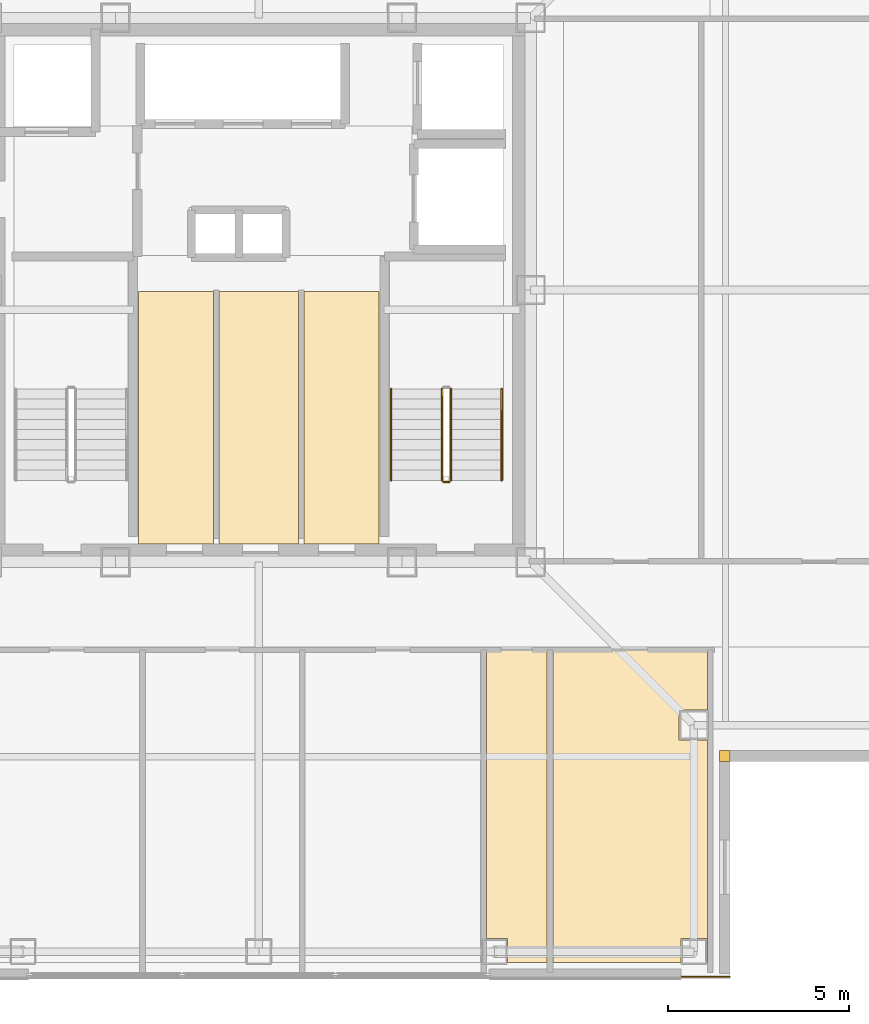
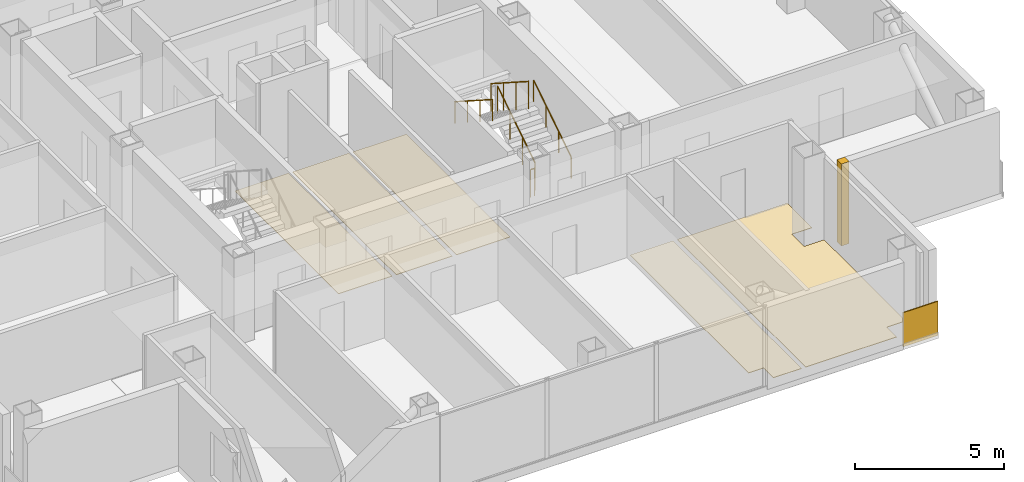
# One storey, part 12 of 16: 7 coverings, 5 railings.
"""IFC4 building model written with IfcOpenShell, lengths in metres."""

from ifc_helpers import new_model, si_unit, direction, frame, frame_2d, origin, origin_2d, place, context, subcontext, project, spatial, polyline, rectangle, circle, outline, extrude, material, layer, layer_set, type_object, element, save


model = new_model("IFC4")

# Units and contexts
model_context = context("Model", 3, precision=1e-05, world=origin(), true_north=direction((0.0, 1.0)))
body_context = subcontext(model_context, "Body", "Model", "MODEL_VIEW")
ifc_project = project(units=[si_unit("LENGTHUNIT", "METRE"), si_unit("AREAUNIT", "SQUARE_METRE"), si_unit("VOLUMEUNIT", "CUBIC_METRE"), si_unit("PLANEANGLEUNIT", "RADIAN"), si_unit("MASSUNIT", "GRAM", prefix="KILO")], contexts=[model_context])

# Site, building, storey
site_placement = place(None, origin())
site = spatial("IfcSite", under=ifc_project, at=site_placement, CompositionType="ELEMENT")
building_placement = place(site_placement, origin())
building = spatial("IfcBuilding", under=site, at=building_placement, Name="Trevonay Congress Spire", CompositionType="ELEMENT")
storey_placement = place(building_placement, frame((0.0, 0.0, 236.0)))
storey = spatial("IfcBuildingStorey", under=building, at=storey_placement, Name="L61", CompositionType="ELEMENT", Elevation=236.0)

# Coverings
ifc_material_1 = material(Name="Polished Granite Floor Tile", Category="masonry")
ifc_layer_1 = layer(ifc_material_1, 0.02001953125, Name="Polished Granite Floor Tile")
ifc_layer_set_1 = layer_set([ifc_layer_1], Name="Polished Granite Floor Tile")
covering_type_1 = type_object("IfcCoveringType", Name="COV-FLOOR-STONE", PredefinedType="FLOORING", material=ifc_layer_set_1)
covering_1_placement = place(storey_placement, origin())
element("IfcCovering", 1, at=covering_1_placement, inside=storey, type_object=covering_type_1, Name="L61 Core AHU Fan Plant Room floor finish", PredefinedType="FLOORING", context=body_context, shape_type="SweptSolid", body=[
    extrude(outline(polyline([(-3.320068359375, -7.0), (-1.25, -7.0), (-1.25, -0.050048828125), (-3.320068359375, -0.050048828125), (-3.320068359375, -7.0)])), origin(), (0.0, 0.0, 1.0), 0.02001953125),
])
covering_2_placement = place(storey_placement, origin())
element("IfcCovering", 2, at=covering_2_placement, inside=storey, type_object=covering_type_1, Name="L61 Core IT Comms Store floor finish", PredefinedType="FLOORING", context=body_context, shape_type="SweptSolid", body=[
    extrude(outline(polyline([(-1.090087890625, -7.0), (1.090087890625, -7.0), (1.090087890625, -0.050048828125), (-1.090087890625, -0.050048828125), (-1.090087890625, -7.0)])), origin(), (0.0, 0.0, 1.0), 0.02001953125),
])
covering_3_placement = place(storey_placement, origin())
element("IfcCovering", 3, at=covering_3_placement, inside=storey, type_object=covering_type_1, Name="L61 Housekeeping Linen Store floor finish", PredefinedType="FLOORING", context=body_context, shape_type="SweptSolid", body=[
    extrude(outline(polyline([(1.25, -7.0), (3.320068359375, -7.0), (3.320068359375, -0.050048828125), (1.25, -0.050048828125), (1.25, -7.0)])), origin(), (0.0, 0.0, 1.0), 0.02001953125),
])
covering_4_placement = place(storey_placement, origin())
element("IfcCovering", 4, at=covering_4_placement, inside=storey, type_object=covering_type_1, Name="L61 Accessible WC floor finish", PredefinedType="FLOORING", context=body_context, shape_type="SweptSolid", body=[
    extrude(outline(polyline([(6.280029296875, -9.929931640625), (7.949951171875, -9.929931640625), (7.949951171875, -18.550048828125), (6.860107421875, -18.550048828125), (6.860107421875, -17.889892578125), (6.280029296875, -17.889892578125), (6.280029296875, -9.929931640625)])), origin(), (0.0, 0.0, 1.0), 0.02001953125),
])
covering_5_placement = place(storey_placement, origin())
element("IfcCovering", 5, at=covering_5_placement, inside=storey, type_object=covering_type_1, Name="L61 Floor Supplies and Copy Room floor finish", PredefinedType="FLOORING", context=body_context, shape_type="SweptSolid", body=[
    extrude(outline(polyline([(8.110107421875, -18.550048828125), (8.110107421875, -9.929931640625), (12.3701171875, -9.929931640625), (12.3701171875, -11.590087890625), (11.590087890625, -11.590087890625), (11.590087890625, -12.409912109375), (12.3701171875, -12.409912109375), (12.3701171875, -18.550048828125), (12.360107421875, -18.550048828125), (12.360107421875, -17.889892578125), (11.639892578125, -17.889892578125), (11.639892578125, -18.550048828125), (8.110107421875, -18.550048828125)])), origin(), (0.0, 0.0, 1.0), 0.02001953125),
])
ifc_material_2 = material(Name="Pale Anodised Aluminium EN AW-6063-T6", Category="aluminium")
ifc_layer_2 = layer(ifc_material_2, 0.0400390625, Name="Pale Anodised Aluminium EN AW-6063-T6")
ifc_layer_set_2 = layer_set([ifc_layer_2], Name="Pale Anodised Aluminium EN AW-6063-T6")
covering_type_2 = type_object("IfcCoveringType", Name="COV-SPANDREL-PALE-METAL", PredefinedType="CLADDING", material=ifc_layer_set_2)
covering_6_placement = place(storey_placement, origin())
element("IfcCovering", 6, at=covering_6_placement, inside=storey, type_object=covering_type_2, Name="L61 SE re-entrant notch corner closure trim", PredefinedType="CLADDING", context=body_context, shape_type="SweptSolid", body=[
    extrude(outline(polyline([(12.699951171875, -13.0), (13.0, -13.0), (13.0, -12.699951171875), (12.699951171875, -12.699951171875), (12.699951171875, -13.0)])), origin(), (0.0, 0.0, 1.0), 3.360107421875),
])
covering_7_placement = place(storey_placement, frame((11.64990234375, -18.93994140625, -0.14990234375), z_axis=(0.0, 0.0, 1.0), x_axis=(1.0, 0.0, 0.0)))
element("IfcCovering", 7, at=covering_7_placement, inside=storey, type_object=covering_type_2, Name="L61 SE corner pier spandrel cladding 2", PredefinedType="CLADDING", context=body_context, shape_type="SweptSolid", body=[
    extrude(rectangle(XDim=1.35009765625, YDim=0.0400390625, at=frame_2d((0.675048828125, 0.0))), origin(), (0.0, 0.0, 1.0), 1.39990234375),
])

# Railings
railing_type_1 = type_object("IfcRailingType", Name="RAL-STAIR-GUARD-110", PredefinedType="GUARDRAIL", material=ifc_material_2)
railing_1_placement = place(storey_placement, frame((5.300048828125, -5.25, 0.179931640625)))
element("IfcRailing", 8, at=railing_1_placement, inside=storey, type_object=railing_type_1, Name="L61 ST-2 stair guard 1", PredefinedType="GUARDRAIL", context=body_context, shape_type="SweptSolid", body=[
    extrude(circle(Radius=0.02392578125, at=origin_2d()), frame((0.0, 0.0, 1.1259765625), z_axis=(0.0, 0.841162588446, 0.540782303519), x_axis=(-1.0, 0.0, 0.0)), (0.0, 0.0, 1.0), 2.995849609375),
    extrude(circle(Radius=0.02099609375, at=origin_2d()), origin(), (0.0, 0.0, 1.0), 1.101806640625),
    extrude(circle(Radius=0.02099609375, at=origin_2d()), frame((0.0, 0.840087890625, 0.5400390625)), (0.0, 0.0, 1.0), 1.101806640625),
    extrude(circle(Radius=0.02099609375, at=origin_2d()), frame((0.0, 1.679931640625, 1.080078125)), (0.0, 0.0, 1.0), 1.101806640625),
    extrude(circle(Radius=0.02099609375, at=origin_2d()), frame((0.0, 2.52001953125, 1.6201171875)), (0.0, 0.0, 1.0), 1.101806640625),
])
railing_2_placement = place(storey_placement, frame((5.050048828125, -2.72998046875, 1.97998046875)))
element("IfcRailing", 9, at=railing_2_placement, inside=storey, type_object=railing_type_1, Name="L61 ST-2 stair guard 3", PredefinedType="GUARDRAIL", context=body_context, shape_type="SweptSolid", body=[
    extrude(circle(Radius=0.02392578125, at=origin_2d()), frame((0.0, 0.0, 1.1259765625), z_axis=(0.0, -0.841162588446, 0.540782303519), x_axis=(1.0, 0.0, 0.0)), (0.0, 0.0, 1.0), 2.995849609375),
    extrude(circle(Radius=0.02099609375, at=origin_2d()), origin(), (0.0, 0.0, 1.0), 1.101806640625),
    extrude(circle(Radius=0.02099609375, at=origin_2d()), frame((0.0, -0.840087890625, 0.5400390625)), (0.0, 0.0, 1.0), 1.101806640625),
    extrude(circle(Radius=0.02099609375, at=origin_2d()), frame((0.0, -1.679931640625, 1.080078125)), (0.0, 0.0, 1.0), 1.101806640625),
    extrude(circle(Radius=0.02099609375, at=origin_2d()), frame((0.0, -2.52001953125, 1.6201171875)), (0.0, 0.0, 1.0), 1.101806640625),
])
railing_3_placement = place(storey_placement, frame((5.25, -5.300048828125, 0.0)))
element("IfcRailing", 10, at=railing_3_placement, inside=storey, type_object=railing_type_1, Name="L61 ST-2 stair guard 4", PredefinedType="GUARDRAIL", context=body_context, shape_type="SweptSolid", body=[
    extrude(circle(Radius=0.02392578125, at=origin_2d()), frame((0.0, 0.0, 1.1259765625), z_axis=(-1.0, 0.0, 0.0), x_axis=(0.0, -1.0, 0.0)), (0.0, 0.0, 1.0), 0.14990234375),
    extrude(circle(Radius=0.02099609375, at=origin_2d()), origin(), (0.0, 0.0, 1.0), 1.101806640625),
    extrude(circle(Radius=0.02099609375, at=origin_2d()), frame((-0.14990234375, 0.0, 0.0)), (0.0, 0.0, 1.0), 1.101806640625),
])
railing_type_2 = type_object("IfcRailingType", Name="RAL-STAIR-HANDRAIL", PredefinedType="HANDRAIL", material=ifc_material_2)
railing_4_placement = place(storey_placement, frame((6.699951171875, -5.25, 0.179931640625)))
element("IfcRailing", 11, at=railing_4_placement, inside=storey, type_object=railing_type_2, Name="L61 ST-2 stair handrail 1", PredefinedType="HANDRAIL", context=body_context, shape_type="SweptSolid", body=[
    extrude(circle(Radius=0.02392578125, at=origin_2d()), frame((0.0, 0.0, 0.8759765625), z_axis=(0.0, 0.841162588446, 0.540782303519), x_axis=(-1.0, 0.0, 0.0)), (0.0, 0.0, 1.0), 2.995849609375),
    extrude(circle(Radius=0.02099609375, at=origin_2d()), origin(), (0.0, 0.0, 1.0), 0.851806640625),
    extrude(circle(Radius=0.02099609375, at=origin_2d()), frame((0.0, 0.840087890625, 0.5400390625)), (0.0, 0.0, 1.0), 0.851806640625),
    extrude(circle(Radius=0.02099609375, at=origin_2d()), frame((0.0, 1.679931640625, 1.080078125)), (0.0, 0.0, 1.0), 0.851806640625),
    extrude(circle(Radius=0.02099609375, at=origin_2d()), frame((0.0, 2.52001953125, 1.6201171875)), (0.0, 0.0, 1.0), 0.851806640625),
])
railing_5_placement = place(storey_placement, frame((3.64990234375, -2.72998046875, 1.97998046875)))
element("IfcRailing", 12, at=railing_5_placement, inside=storey, type_object=railing_type_2, Name="L61 ST-2 stair handrail 2", PredefinedType="HANDRAIL", context=body_context, shape_type="SweptSolid", body=[
    extrude(circle(Radius=0.02392578125, at=origin_2d()), frame((0.0, 0.0, 0.8759765625), z_axis=(0.0, -0.841162588446, 0.540782303519), x_axis=(1.0, 0.0, 0.0)), (0.0, 0.0, 1.0), 2.995849609375),
    extrude(circle(Radius=0.02099609375, at=origin_2d()), origin(), (0.0, 0.0, 1.0), 0.851806640625),
    extrude(circle(Radius=0.02099609375, at=origin_2d()), frame((0.0, -0.840087890625, 0.5400390625)), (0.0, 0.0, 1.0), 0.851806640625),
    extrude(circle(Radius=0.02099609375, at=origin_2d()), frame((0.0, -1.679931640625, 1.080078125)), (0.0, 0.0, 1.0), 0.851806640625),
    extrude(circle(Radius=0.02099609375, at=origin_2d()), frame((0.0, -2.52001953125, 1.6201171875)), (0.0, 0.0, 1.0), 0.851806640625),
])

save(model, "model.ifc")
